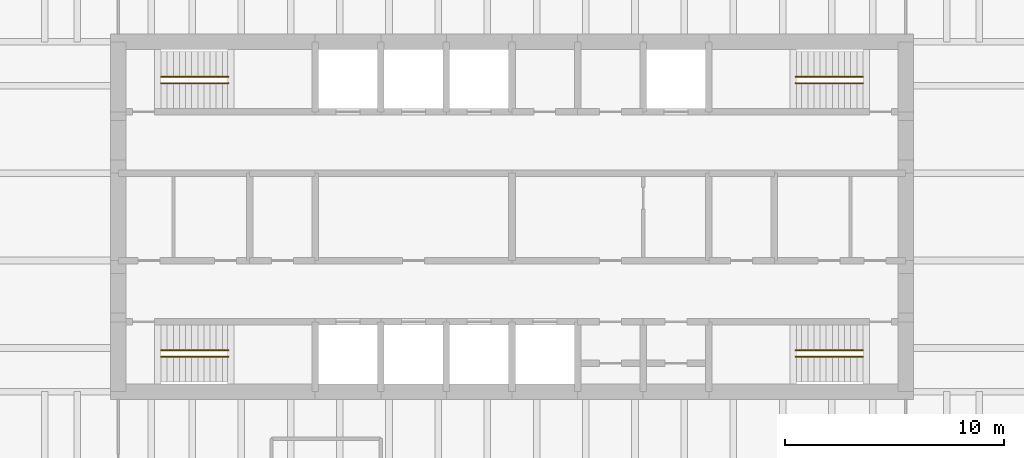
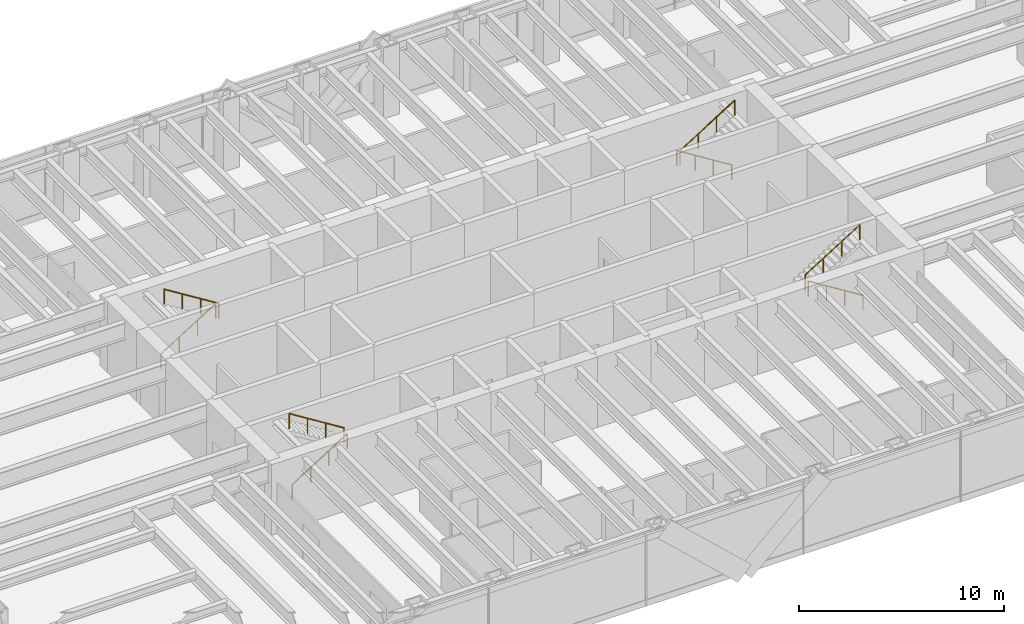
# One storey, part 15 of 15: 8 railings.
"""IFC4 building model written with IfcOpenShell, lengths in metres."""

from ifc_helpers import new_model, si_unit, direction, frame, origin, origin_2d, place, context, subcontext, project, spatial, circle, extrude, material, type_object, element, save


model = new_model("IFC4")

# Units and contexts
model_context = context("Model", 3, precision=1e-05, world=origin(), true_north=direction((0.0, 1.0)))
body_context = subcontext(model_context, "Body", "Model", "MODEL_VIEW")
ifc_project = project(units=[si_unit("LENGTHUNIT", "METRE"), si_unit("AREAUNIT", "SQUARE_METRE"), si_unit("VOLUMEUNIT", "CUBIC_METRE"), si_unit("PLANEANGLEUNIT", "RADIAN"), si_unit("MASSUNIT", "GRAM", prefix="KILO")], contexts=[model_context])

# Site, building, storey
site_placement = place(None, origin())
site = spatial("IfcSite", under=ifc_project, at=site_placement, CompositionType="ELEMENT")
building_placement = place(site_placement, origin())
building = spatial("IfcBuilding", under=site, at=building_placement, Name="Rheinbord Bourse Tower", CompositionType="ELEMENT")
storey_placement = place(building_placement, frame((0.0, 0.0, 275.300048828125)))
storey = spatial("IfcBuildingStorey", under=building, at=storey_placement, Name="L62", CompositionType="ELEMENT", Elevation=275.300048828125)

# Railings
ifc_material = material(Name="Steel handrail", Category="steel")
railing_type = type_object("IfcRailingType", Name="HANDRAIL 900", PredefinedType="HANDRAIL", material=ifc_material)
railing_1_placement = place(storey_placement, frame((19.949951171875, 17.60009765625, 0.175048828125)))
element("IfcRailing", 1, at=railing_1_placement, inside=storey, type_object=railing_type, Name="Handrail", PredefinedType="HANDRAIL", context=body_context, shape_type="SweptSolid", body=[
    extrude(circle(Radius=0.02392578125, at=origin_2d()), frame((0.0, 0.0, 0.8759765625), z_axis=(0.848028513186, 0.0, 0.529950602248), x_axis=(0.0, 1.0, 0.0)), (0.0, 0.0, 1.0), 3.632080078125),
    extrude(circle(Radius=0.02099609375, at=origin_2d()), origin(), (0.0, 0.0, 1.0), 0.851806640625),
    extrude(circle(Radius=0.02099609375, at=origin_2d()), frame((1.026611328125, 0.0, 0.6416015625)), (0.0, 0.0, 1.0), 0.851806640625),
    extrude(circle(Radius=0.02099609375, at=origin_2d()), frame((2.053466796875, 0.0, 1.283203125)), (0.0, 0.0, 1.0), 0.851806640625),
    extrude(circle(Radius=0.02099609375, at=origin_2d()), frame((3.080078125, 0.0, 1.9248046875)), (0.0, 0.0, 1.0), 0.851806640625),
])
railing_2_placement = place(storey_placement, frame((23.030029296875, 17.89990234375, 2.27490234375)))
element("IfcRailing", 2, at=railing_2_placement, inside=storey, type_object=railing_type, Name="Handrail", PredefinedType="HANDRAIL", context=body_context, shape_type="SweptSolid", body=[
    extrude(circle(Radius=0.02392578125, at=origin_2d()), frame((0.0, 0.0, 0.8759765625), z_axis=(-0.847998304005, 0.0, 0.529998940003), x_axis=(0.0, -1.0, 0.0)), (0.0, 0.0, 1.0), 3.632080078125),
    extrude(circle(Radius=0.02099609375, at=origin_2d()), origin(), (0.0, 0.0, 1.0), 0.851806640625),
    extrude(circle(Radius=0.02099609375, at=origin_2d()), frame((-1.026611328125, 0.0, 0.6416015625)), (0.0, 0.0, 1.0), 0.851806640625),
    extrude(circle(Radius=0.02099609375, at=origin_2d()), frame((-2.053466796875, 0.0, 1.283447265625)), (0.0, 0.0, 1.0), 0.851806640625),
    extrude(circle(Radius=0.02099609375, at=origin_2d()), frame((-3.080078125, 0.0, 1.925048828125)), (0.0, 0.0, 1.0), 0.851806640625),
])
railing_3_placement = place(storey_placement, frame((19.949951171875, 30.39990234375, 0.175048828125)))
element("IfcRailing", 3, at=railing_3_placement, inside=storey, type_object=railing_type, Name="Handrail", PredefinedType="HANDRAIL", context=body_context, shape_type="SweptSolid", body=[
    extrude(circle(Radius=0.02392578125, at=origin_2d()), frame((0.0, 0.0, 0.8759765625), z_axis=(0.848028513186, 0.0, 0.529950602248), x_axis=(0.0, 1.0, 0.0)), (0.0, 0.0, 1.0), 3.632080078125),
    extrude(circle(Radius=0.02099609375, at=origin_2d()), origin(), (0.0, 0.0, 1.0), 0.851806640625),
    extrude(circle(Radius=0.02099609375, at=origin_2d()), frame((1.026611328125, 0.0, 0.6416015625)), (0.0, 0.0, 1.0), 0.851806640625),
    extrude(circle(Radius=0.02099609375, at=origin_2d()), frame((2.053466796875, 0.0, 1.283203125)), (0.0, 0.0, 1.0), 0.851806640625),
    extrude(circle(Radius=0.02099609375, at=origin_2d()), frame((3.080078125, 0.0, 1.9248046875)), (0.0, 0.0, 1.0), 0.851806640625),
])
railing_4_placement = place(storey_placement, frame((23.030029296875, 30.10009765625, 2.27490234375)))
element("IfcRailing", 4, at=railing_4_placement, inside=storey, type_object=railing_type, Name="Handrail", PredefinedType="HANDRAIL", context=body_context, shape_type="SweptSolid", body=[
    extrude(circle(Radius=0.02392578125, at=origin_2d()), frame((0.0, 0.0, 0.8759765625), z_axis=(-0.847998304005, 0.0, 0.529998940003), x_axis=(0.0, -1.0, 0.0)), (0.0, 0.0, 1.0), 3.632080078125),
    extrude(circle(Radius=0.02099609375, at=origin_2d()), origin(), (0.0, 0.0, 1.0), 0.851806640625),
    extrude(circle(Radius=0.02099609375, at=origin_2d()), frame((-1.026611328125, 0.0, 0.6416015625)), (0.0, 0.0, 1.0), 0.851806640625),
    extrude(circle(Radius=0.02099609375, at=origin_2d()), frame((-2.053466796875, 0.0, 1.283447265625)), (0.0, 0.0, 1.0), 0.851806640625),
    extrude(circle(Radius=0.02099609375, at=origin_2d()), frame((-3.080078125, 0.0, 1.925048828125)), (0.0, 0.0, 1.0), 0.851806640625),
])
railing_5_placement = place(storey_placement, frame((52.050048828125, 17.60009765625, 0.175048828125)))
element("IfcRailing", 5, at=railing_5_placement, inside=storey, type_object=railing_type, Name="Handrail", PredefinedType="HANDRAIL", context=body_context, shape_type="SweptSolid", body=[
    extrude(circle(Radius=0.02392578125, at=origin_2d()), frame((0.0, 0.0, 0.8759765625), z_axis=(-0.848028513186, 0.0, 0.529950602248), x_axis=(0.0, -1.0, 0.0)), (0.0, 0.0, 1.0), 3.632080078125),
    extrude(circle(Radius=0.02099609375, at=origin_2d()), origin(), (0.0, 0.0, 1.0), 0.851806640625),
    extrude(circle(Radius=0.02099609375, at=origin_2d()), frame((-1.026611328125, 0.0, 0.6416015625)), (0.0, 0.0, 1.0), 0.851806640625),
    extrude(circle(Radius=0.02099609375, at=origin_2d()), frame((-2.053466796875, 0.0, 1.283203125)), (0.0, 0.0, 1.0), 0.851806640625),
    extrude(circle(Radius=0.02099609375, at=origin_2d()), frame((-3.080078125, 0.0, 1.9248046875)), (0.0, 0.0, 1.0), 0.851806640625),
])
railing_6_placement = place(storey_placement, frame((48.969970703125, 17.89990234375, 2.27490234375)))
element("IfcRailing", 6, at=railing_6_placement, inside=storey, type_object=railing_type, Name="Handrail", PredefinedType="HANDRAIL", context=body_context, shape_type="SweptSolid", body=[
    extrude(circle(Radius=0.02392578125, at=origin_2d()), frame((0.0, 0.0, 0.8759765625), z_axis=(0.847998304005, 0.0, 0.529998940003), x_axis=(0.0, 1.0, 0.0)), (0.0, 0.0, 1.0), 3.632080078125),
    extrude(circle(Radius=0.02099609375, at=origin_2d()), origin(), (0.0, 0.0, 1.0), 0.851806640625),
    extrude(circle(Radius=0.02099609375, at=origin_2d()), frame((1.026611328125, 0.0, 0.6416015625)), (0.0, 0.0, 1.0), 0.851806640625),
    extrude(circle(Radius=0.02099609375, at=origin_2d()), frame((2.053466796875, 0.0, 1.283447265625)), (0.0, 0.0, 1.0), 0.851806640625),
    extrude(circle(Radius=0.02099609375, at=origin_2d()), frame((3.080078125, 0.0, 1.925048828125)), (0.0, 0.0, 1.0), 0.851806640625),
])
railing_7_placement = place(storey_placement, frame((52.050048828125, 30.39990234375, 0.175048828125)))
element("IfcRailing", 7, at=railing_7_placement, inside=storey, type_object=railing_type, Name="Handrail", PredefinedType="HANDRAIL", context=body_context, shape_type="SweptSolid", body=[
    extrude(circle(Radius=0.02392578125, at=origin_2d()), frame((0.0, 0.0, 0.8759765625), z_axis=(-0.848028513186, 0.0, 0.529950602248), x_axis=(0.0, -1.0, 0.0)), (0.0, 0.0, 1.0), 3.632080078125),
    extrude(circle(Radius=0.02099609375, at=origin_2d()), origin(), (0.0, 0.0, 1.0), 0.851806640625),
    extrude(circle(Radius=0.02099609375, at=origin_2d()), frame((-1.026611328125, 0.0, 0.6416015625)), (0.0, 0.0, 1.0), 0.851806640625),
    extrude(circle(Radius=0.02099609375, at=origin_2d()), frame((-2.053466796875, 0.0, 1.283203125)), (0.0, 0.0, 1.0), 0.851806640625),
    extrude(circle(Radius=0.02099609375, at=origin_2d()), frame((-3.080078125, 0.0, 1.9248046875)), (0.0, 0.0, 1.0), 0.851806640625),
])
railing_8_placement = place(storey_placement, frame((48.969970703125, 30.10009765625, 2.27490234375)))
element("IfcRailing", 8, at=railing_8_placement, inside=storey, type_object=railing_type, Name="Handrail", PredefinedType="HANDRAIL", context=body_context, shape_type="SweptSolid", body=[
    extrude(circle(Radius=0.02392578125, at=origin_2d()), frame((0.0, 0.0, 0.8759765625), z_axis=(0.847998304005, 0.0, 0.529998940003), x_axis=(0.0, 1.0, 0.0)), (0.0, 0.0, 1.0), 3.632080078125),
    extrude(circle(Radius=0.02099609375, at=origin_2d()), origin(), (0.0, 0.0, 1.0), 0.851806640625),
    extrude(circle(Radius=0.02099609375, at=origin_2d()), frame((1.026611328125, 0.0, 0.6416015625)), (0.0, 0.0, 1.0), 0.851806640625),
    extrude(circle(Radius=0.02099609375, at=origin_2d()), frame((2.053466796875, 0.0, 1.283447265625)), (0.0, 0.0, 1.0), 0.851806640625),
    extrude(circle(Radius=0.02099609375, at=origin_2d()), frame((3.080078125, 0.0, 1.925048828125)), (0.0, 0.0, 1.0), 0.851806640625),
])

save(model, "model.ifc")
